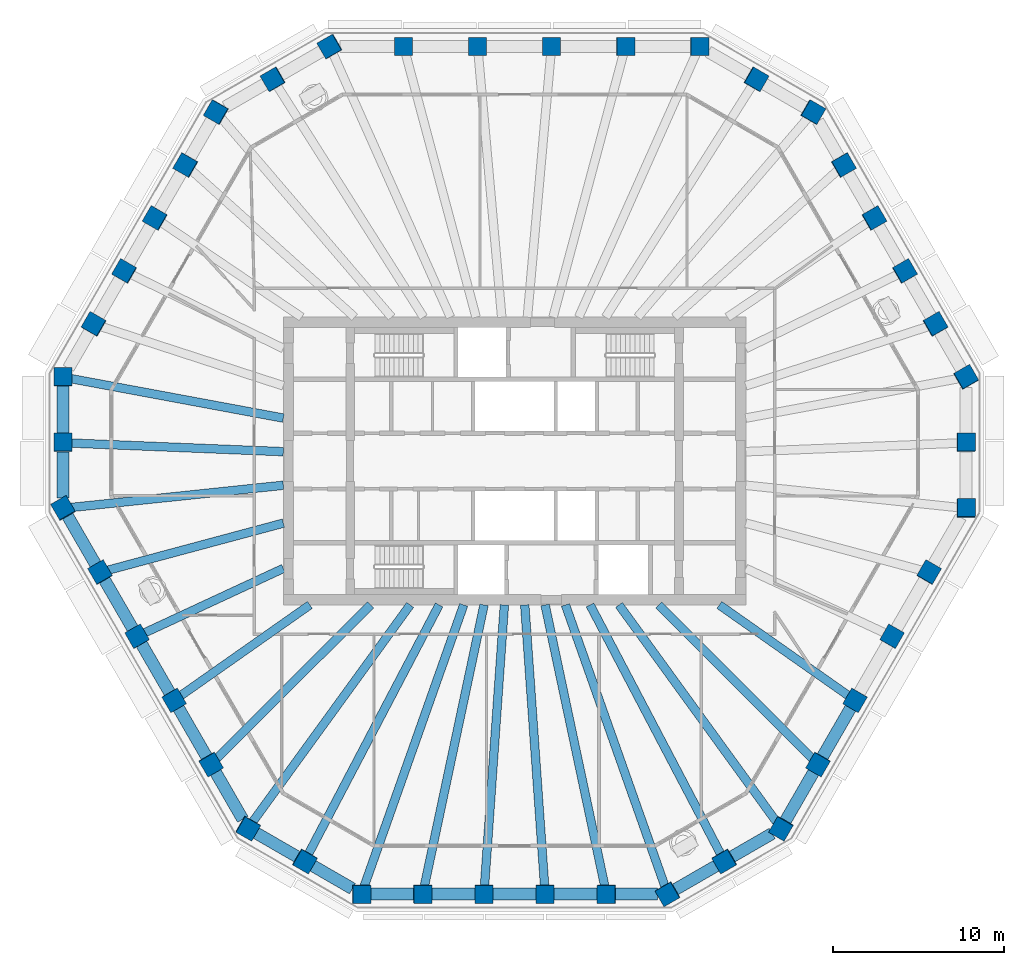
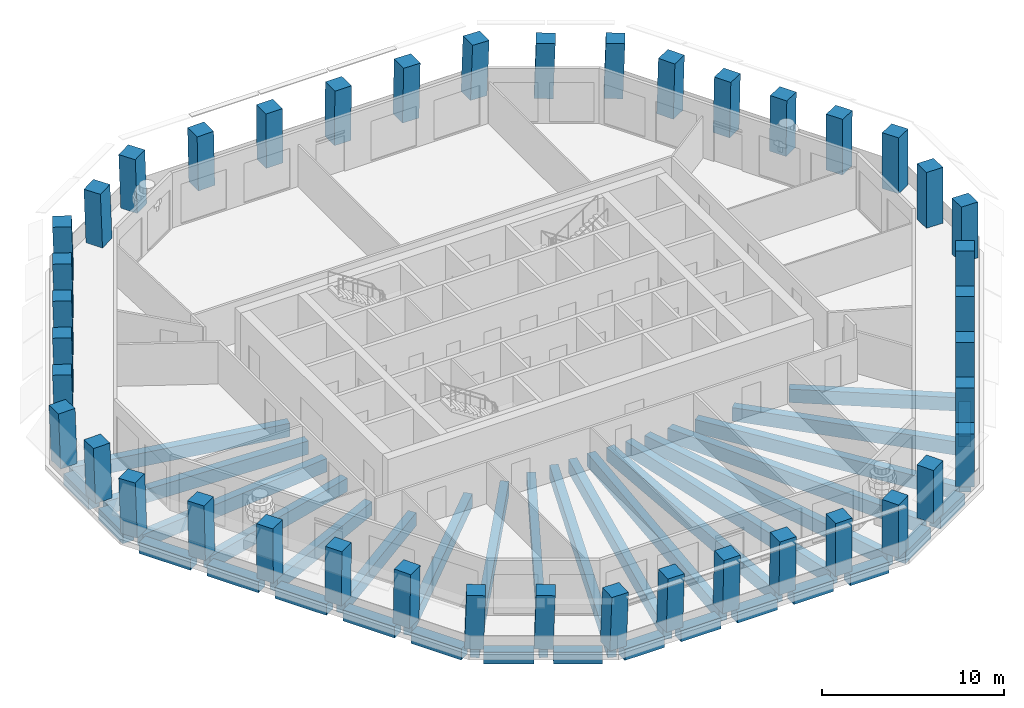
# One storey, part 1 of 12: 42 columns, 37 beams.
"""IFC4 building model written with IfcOpenShell, lengths in metres."""

from ifc_helpers import new_model, si_unit, direction, frame, origin, origin_2d, place, context, subcontext, project, spatial, rectangle, extrude, material, material_profile, profile_set, type_object, element, save


model = new_model("IFC4")

# Units and contexts
model_context = context("Model", 3, precision=1e-05, world=origin(), true_north=direction((0.0, 1.0)))
body_context = subcontext(model_context, "Body", "Model", "MODEL_VIEW")
ifc_project = project(units=[si_unit("LENGTHUNIT", "METRE"), si_unit("AREAUNIT", "SQUARE_METRE"), si_unit("VOLUMEUNIT", "CUBIC_METRE"), si_unit("PLANEANGLEUNIT", "RADIAN"), si_unit("MASSUNIT", "GRAM", prefix="KILO")], contexts=[model_context])

# Site, building, storey
site_placement = place(None, origin())
site = spatial("IfcSite", under=ifc_project, at=site_placement, CompositionType="ELEMENT")
building_placement = place(site_placement, origin())
building = spatial("IfcBuilding", under=site, at=building_placement, Name="Frailejon Research Tower", CompositionType="ELEMENT")
storey_placement = place(building_placement, frame((0.0, 0.0, 245.39990234375)))
storey = spatial("IfcBuildingStorey", under=building, at=storey_placement, Name="L53", CompositionType="ELEMENT", Elevation=245.39990234375)

# Columns
ifc_material_1 = material(Name="Concrete C60/75", Category="concrete")
ifc_material_profile_1 = material_profile(ifc_material_1, rectangle(XDim=1.050048828125, YDim=1.050048828125, at=origin_2d()), Name="Column 1050")
ifc_profile_set_1 = profile_set([ifc_material_profile_1], Name="Concrete C60/75")
column_type = type_object("IfcColumnType", Name="Column 1050", PredefinedType="COLUMN", material=ifc_profile_set_1)
for number, where, z_axis, x_axis, name in (
    (1, (26.351318359375, -2.75830078125, 0.0), (0.018113955825, 0.03141534774, 0.999342263957), (-0.001297337727, 0.999506151202, -0.031396984318), "Column C01"),
    (2, (26.351318359375, 1.068603515625, 0.0), (0.018113993821, 0.031348572332, 0.999344360189), (-0.000374711626, 0.999508494025, -0.031346929091), "Column C02"),
    (3, (26.351318359375, 4.895263671875, 0.0), (0.018113955825, 0.03141534774, 0.999342263957), (-0.501041071009, 0.865233837763, -0.018117702729), "Column C03"),
):
    element("IfcColumn", number, at=place(storey_placement, frame(where, z_axis=z_axis, x_axis=x_axis)), inside=storey, type_object=column_type, Name=name, PredefinedType="COLUMN", context=body_context, shape_type="SweptSolid", body=[
        extrude(rectangle(XDim=1.050048828125, YDim=1.050048828125, at=origin_2d()), origin(), (0.0, 0.0, 1.0), 3.652587890625),
    ])
column_1_placement = place(storey_placement, frame((24.56396484375, 7.99072265625, 0.0), z_axis=(0.021792492936, 0.025134899828, 0.999446508855), x_axis=(-0.499665392548, 0.866150076023, -0.010887667087)))
element("IfcColumn", 4, at=column_1_placement, inside=storey, type_object=column_type, Name="Column C04", PredefinedType="COLUMN", context=body_context, shape_type="SweptSolid", body=[
    extrude(rectangle(XDim=1.050048828125, YDim=1.050048828125, at=origin_2d()), origin(), (0.0, 0.0, 1.0), 3.652099609375),
])
for number, where, z_axis, x_axis, name in (
    (5, (22.77685546875, 11.08642578125, 0.0), (0.025336830513, 0.018852206345, 0.999501195265), (-0.50062764201, 0.865655090814, -0.003637004835), "Column C05"),
    (6, (20.989501953125, 14.18212890625, 0.0), (0.029013668895, 0.012501281298, 0.99950083791), (-0.499066046322, 0.866556270473, 0.003648494517), "Column C06"),
):
    element("IfcColumn", number, at=place(storey_placement, frame(where, z_axis=z_axis, x_axis=x_axis)), inside=storey, type_object=column_type, Name=name, PredefinedType="COLUMN", context=body_context, shape_type="SweptSolid", body=[
        extrude(rectangle(XDim=1.050048828125, YDim=1.050048828125, at=origin_2d()), origin(), (0.0, 0.0, 1.0), 3.65185546875),
    ])
column_2_placement = place(storey_placement, frame((19.202392578125, 17.277587890625, 0.0), z_axis=(0.032621940247, 0.006283734392, 0.999448009502), x_axis=(-0.500036322924, 0.865936123493, 0.010876846363)))
element("IfcColumn", 7, at=column_2_placement, inside=storey, type_object=column_type, Name="Column C07", PredefinedType="COLUMN", context=body_context, shape_type="SweptSolid", body=[
    extrude(rectangle(XDim=1.050048828125, YDim=1.050048828125, at=origin_2d()), origin(), (0.0, 0.0, 1.0), 3.652099609375),
])
for number, where, z_axis, x_axis, name in (
    (8, (17.4150390625, 20.373291015625, 0.0), (0.036294711627, 0.0, 0.999341129899), (-0.865312619905, 0.500246354177, 0.031426978303), "Column C08"),
    (9, (14.10107421875, 22.28662109375, 0.0), (0.036227958345, 0.0, 0.999343552055), (-0.865314717209, 0.500246354177, 0.031369177763), "Column C09"),
    (10, (10.786865234375, 24.199951171875, 0.0), (0.036294711627, 0.0, 0.999341129899), (-0.999341129899, 0.0, 0.036294711627), "Column C10"),
):
    element("IfcColumn", number, at=place(storey_placement, frame(where, z_axis=z_axis, x_axis=x_axis)), inside=storey, type_object=column_type, Name=name, PredefinedType="COLUMN", context=body_context, shape_type="SweptSolid", body=[
        extrude(rectangle(XDim=1.050048828125, YDim=1.050048828125, at=origin_2d()), origin(), (0.0, 0.0, 1.0), 3.652587890625),
    ])
column_3_placement = place(storey_placement, frame((6.47216796875, 24.199951171875, 0.0), z_axis=(0.021799380047, 0.0, 0.99976236528), x_axis=(-0.99976236528, 0.0, 0.021799380047)))
element("IfcColumn", 11, at=column_3_placement, inside=storey, type_object=column_type, Name="Column C11", PredefinedType="COLUMN", context=body_context, shape_type="SweptSolid", body=[
    extrude(rectangle(XDim=1.050048828125, YDim=1.050048828125, at=origin_2d()), origin(), (0.0, 0.0, 1.0), 3.651123046875),
])
for number, where, z_axis, x_axis, name in (
    (12, (2.157470703125, 24.199951171875, 0.0), (0.007223408626, 0.0, 0.999973910844), (-0.999973910844, 0.0, 0.007223408626), "Column C12"),
    (13, (-2.157470703125, 24.199951171875, 0.0), (-0.007223408626, 0.0, 0.999973910844), (-0.999973910844, 0.0, -0.007223408626), "Column C13"),
):
    element("IfcColumn", number, at=place(storey_placement, frame(where, z_axis=z_axis, x_axis=x_axis)), inside=storey, type_object=column_type, Name=name, PredefinedType="COLUMN", context=body_context, shape_type="SweptSolid", body=[
        extrude(rectangle(XDim=1.050048828125, YDim=1.050048828125, at=origin_2d()), origin(), (0.0, 0.0, 1.0), 3.650146484375),
    ])
column_4_placement = place(storey_placement, frame((-6.47216796875, 24.199951171875, 0.0), z_axis=(-0.021799380047, 0.0, 0.99976236528), x_axis=(-0.99976236528, 0.0, -0.021799380047)))
element("IfcColumn", 14, at=column_4_placement, inside=storey, type_object=column_type, Name="Column C14", PredefinedType="COLUMN", context=body_context, shape_type="SweptSolid", body=[
    extrude(rectangle(XDim=1.050048828125, YDim=1.050048828125, at=origin_2d()), origin(), (0.0, 0.0, 1.0), 3.651123046875),
])
for number, where, z_axis, x_axis, name in (
    (15, (-10.786865234375, 24.199951171875, 0.0), (-0.036294711627, 0.0, 0.999341129899), (-0.865312619905, -0.500246354177, -0.031426978303), "Column C15"),
    (16, (-14.10107421875, 22.28662109375, 0.0), (-0.036227958345, 0.0, 0.999343552055), (-0.865314717209, -0.500246354177, -0.031369177763), "Column C16"),
    (17, (-17.4150390625, 20.373291015625, 0.0), (-0.036294711627, 0.0, 0.999341129899), (-0.499424332648, -0.866167613071, -0.018138412991), "Column C17"),
):
    element("IfcColumn", number, at=place(storey_placement, frame(where, z_axis=z_axis, x_axis=x_axis)), inside=storey, type_object=column_type, Name=name, PredefinedType="COLUMN", context=body_context, shape_type="SweptSolid", body=[
        extrude(rectangle(XDim=1.050048828125, YDim=1.050048828125, at=origin_2d()), origin(), (0.0, 0.0, 1.0), 3.652587890625),
    ])
column_5_placement = place(storey_placement, frame((-19.202392578125, 17.277587890625, 0.0), z_axis=(-0.032621940247, 0.006283734392, 0.999448009502), x_axis=(-0.500036322924, -0.865936123493, -0.010876846363)))
element("IfcColumn", 18, at=column_5_placement, inside=storey, type_object=column_type, Name="Column C18", PredefinedType="COLUMN", context=body_context, shape_type="SweptSolid", body=[
    extrude(rectangle(XDim=1.050048828125, YDim=1.050048828125, at=origin_2d()), origin(), (0.0, 0.0, 1.0), 3.652099609375),
])
for number, where, z_axis, x_axis, name in (
    (19, (-20.989501953125, 14.18212890625, 0.0), (-0.029013668895, 0.012501281298, 0.99950083791), (-0.499066046322, -0.866556270473, -0.003648494517), "Column C19"),
    (20, (-22.77685546875, 11.08642578125, 0.0), (-0.025336830513, 0.018852206345, 0.999501195265), (-0.50062764201, -0.865655090814, 0.003637004835), "Column C20"),
):
    element("IfcColumn", number, at=place(storey_placement, frame(where, z_axis=z_axis, x_axis=x_axis)), inside=storey, type_object=column_type, Name=name, PredefinedType="COLUMN", context=body_context, shape_type="SweptSolid", body=[
        extrude(rectangle(XDim=1.050048828125, YDim=1.050048828125, at=origin_2d()), origin(), (0.0, 0.0, 1.0), 3.65185546875),
    ])
column_6_placement = place(storey_placement, frame((-24.56396484375, 7.99072265625, 0.0), z_axis=(-0.021792492936, 0.025134899828, 0.999446508855), x_axis=(-0.499665392548, -0.866150076023, 0.010887667087)))
element("IfcColumn", 21, at=column_6_placement, inside=storey, type_object=column_type, Name="Column C21", PredefinedType="COLUMN", context=body_context, shape_type="SweptSolid", body=[
    extrude(rectangle(XDim=1.050048828125, YDim=1.050048828125, at=origin_2d()), origin(), (0.0, 0.0, 1.0), 3.652099609375),
])
for number, where, z_axis, x_axis, name in (
    (22, (-26.351318359375, 4.895263671875, 0.0), (-0.018113955825, 0.03141534774, 0.999342263957), (-0.001297337727, -0.999506151202, 0.031396984318), "Column C22"),
    (23, (-26.351318359375, 1.068603515625, 0.0), (-0.018113993821, 0.031348572332, 0.999344360189), (-0.000374711626, -0.999508494025, 0.031346929091), "Column C23"),
    (24, (-26.351318359375, -2.75830078125, 0.0), (-0.018113955825, 0.03141534774, 0.999342263957), (0.499040514287, -0.865819568771, 0.036263472456), "Column C24"),
):
    element("IfcColumn", number, at=place(storey_placement, frame(where, z_axis=z_axis, x_axis=x_axis)), inside=storey, type_object=column_type, Name=name, PredefinedType="COLUMN", context=body_context, shape_type="SweptSolid", body=[
        extrude(rectangle(XDim=1.050048828125, YDim=1.050048828125, at=origin_2d()), origin(), (0.0, 0.0, 1.0), 3.652587890625),
    ])
column_7_placement = place(storey_placement, frame((-24.19384765625, -6.494873046875, 0.0), z_axis=(-0.010899694483, 0.018857140148, 0.999762774325), x_axis=(0.500590334681, -0.865410262129, 0.021780611228)))
element("IfcColumn", 25, at=column_7_placement, inside=storey, type_object=column_type, Name="Column C25", PredefinedType="COLUMN", context=body_context, shape_type="SweptSolid", body=[
    extrude(rectangle(XDim=1.050048828125, YDim=1.050048828125, at=origin_2d()), origin(), (0.0, 0.0, 1.0), 3.651123046875),
])
for number, where, z_axis, x_axis, name in (
    (26, (-22.03662109375, -10.231689453125, 0.0), (-0.003611703602, 0.006287039604, 0.99997371402), (0.497890396548, -0.867209652713, 0.007250604559), "Column C26"),
    (27, (-19.879150390625, -13.968505859375, 0.0), (0.003611705113, -0.006220158806, 0.999974132271), (0.50190214813, -0.864894501611, -0.007192689763), "Column C27"),
):
    element("IfcColumn", number, at=place(storey_placement, frame(where, z_axis=z_axis, x_axis=x_axis)), inside=storey, type_object=column_type, Name=name, PredefinedType="COLUMN", context=body_context, shape_type="SweptSolid", body=[
        extrude(rectangle(XDim=1.050048828125, YDim=1.050048828125, at=origin_2d()), origin(), (0.0, 0.0, 1.0), 3.650146484375),
    ])
column_8_placement = place(storey_placement, frame((-17.7216796875, -17.705078125, 0.0), z_axis=(0.010899694483, -0.018857140148, 0.999762774325), x_axis=(0.500590334681, -0.865410262129, -0.021780611228)))
element("IfcColumn", 28, at=column_8_placement, inside=storey, type_object=column_type, Name="Column C28", PredefinedType="COLUMN", context=body_context, shape_type="SweptSolid", body=[
    extrude(rectangle(XDim=1.050048828125, YDim=1.050048828125, at=origin_2d()), origin(), (0.0, 0.0, 1.0), 3.651123046875),
])
for number, where, z_axis, x_axis, name in (
    (29, (-15.564208984375, -21.44189453125, 0.0), (0.018113993821, -0.031348572332, 0.999344360189), (0.866279402233, -0.498575649811, -0.031341963599), "Column C29"),
    (30, (-12.250244140625, -23.35498046875, 0.0), (0.018113955825, -0.03141534774, 0.999342263957), (0.86551973078, -0.499889444942, -0.031402841694), "Column C30"),
    (31, (-8.936279296875, -25.2685546875, 0.0), (0.018113955825, -0.03141534774, 0.999342263957), (0.999835664746, -0.000157319932, -0.01812784466), "Column C31"),
):
    element("IfcColumn", number, at=place(storey_placement, frame(where, z_axis=z_axis, x_axis=x_axis)), inside=storey, type_object=column_type, Name=name, PredefinedType="COLUMN", context=body_context, shape_type="SweptSolid", body=[
        extrude(rectangle(XDim=1.050048828125, YDim=1.050048828125, at=origin_2d()), origin(), (0.0, 0.0, 1.0), 3.652587890625),
    ])
column_9_placement = place(storey_placement, frame((-5.36181640625, -25.2685546875, 0.0), z_axis=(0.010896250923, -0.031418637632, 0.999446917512), x_axis=(0.999940633121, 0.000298237576, -0.010892258146)))
element("IfcColumn", 32, at=column_9_placement, inside=storey, type_object=column_type, Name="Column C32", PredefinedType="COLUMN", context=body_context, shape_type="SweptSolid", body=[
    extrude(rectangle(XDim=1.050048828125, YDim=1.050048828125, at=origin_2d()), origin(), (0.0, 0.0, 1.0), 3.652099609375),
])
for number, where, z_axis, x_axis, name in (
    (33, (-1.787353515625, -25.2685546875, 0.0), (0.003676842511, -0.031420290548, 0.999499497834), (0.999992870831, 0.000974827984, -0.003648012758), "Column C33"),
    (34, (1.787353515625, -25.2685546875, 0.0), (-0.003676842511, -0.031420290548, 0.999499497834), (0.999992870831, -0.000974827984, 0.003648012758), "Column C34"),
):
    element("IfcColumn", number, at=place(storey_placement, frame(where, z_axis=z_axis, x_axis=x_axis)), inside=storey, type_object=column_type, Name=name, PredefinedType="COLUMN", context=body_context, shape_type="SweptSolid", body=[
        extrude(rectangle(XDim=1.050048828125, YDim=1.050048828125, at=origin_2d()), origin(), (0.0, 0.0, 1.0), 3.65185546875),
    ])
column_10_placement = place(storey_placement, frame((5.36181640625, -25.2685546875, 0.0), z_axis=(-0.010896250923, -0.031418637632, 0.999446917512), x_axis=(0.999940633121, -0.000298237576, 0.010892258146)))
element("IfcColumn", 35, at=column_10_placement, inside=storey, type_object=column_type, Name="Column C35", PredefinedType="COLUMN", context=body_context, shape_type="SweptSolid", body=[
    extrude(rectangle(XDim=1.050048828125, YDim=1.050048828125, at=origin_2d()), origin(), (0.0, 0.0, 1.0), 3.652099609375),
])
for number, where, z_axis, x_axis, name in (
    (36, (8.936279296875, -25.2685546875, 0.0), (-0.018113955825, -0.03141534774, 0.999342263957), (0.86551973078, 0.499889444942, 0.031402841694), "Column C36"),
    (37, (12.250244140625, -23.35498046875, 0.0), (-0.018113955825, -0.03141534774, 0.999342263957), (0.86551973078, 0.499889444942, 0.031402841694), "Column C37"),
    (38, (15.564208984375, -21.44189453125, 0.0), (-0.018113993821, -0.031348572332, 0.999344360189), (0.500358082912, 0.865061234454, 0.036205655771), "Column C38"),
):
    element("IfcColumn", number, at=place(storey_placement, frame(where, z_axis=z_axis, x_axis=x_axis)), inside=storey, type_object=column_type, Name=name, PredefinedType="COLUMN", context=body_context, shape_type="SweptSolid", body=[
        extrude(rectangle(XDim=1.050048828125, YDim=1.050048828125, at=origin_2d()), origin(), (0.0, 0.0, 1.0), 3.652587890625),
    ])
column_11_placement = place(storey_placement, frame((17.7216796875, -17.705078125, 0.0), z_axis=(-0.010899694483, -0.018857140148, 0.999762774325), x_axis=(0.500590334681, 0.865410262129, 0.021780611228)))
element("IfcColumn", 39, at=column_11_placement, inside=storey, type_object=column_type, Name="Column C39", PredefinedType="COLUMN", context=body_context, shape_type="SweptSolid", body=[
    extrude(rectangle(XDim=1.050048828125, YDim=1.050048828125, at=origin_2d()), origin(), (0.0, 0.0, 1.0), 3.651123046875),
])
for number, where, z_axis, x_axis, name in (
    (40, (19.879150390625, -13.968505859375, 0.0), (-0.003611705113, -0.006220158806, 0.999974132271), (0.50190214813, 0.864894501611, 0.007192689763), "Column C40"),
    (41, (22.03662109375, -10.231689453125, 0.0), (0.003611703602, 0.006287039604, 0.99997371402), (0.497890396548, 0.867209652713, -0.007250604559), "Column C41"),
):
    element("IfcColumn", number, at=place(storey_placement, frame(where, z_axis=z_axis, x_axis=x_axis)), inside=storey, type_object=column_type, Name=name, PredefinedType="COLUMN", context=body_context, shape_type="SweptSolid", body=[
        extrude(rectangle(XDim=1.050048828125, YDim=1.050048828125, at=origin_2d()), origin(), (0.0, 0.0, 1.0), 3.650146484375),
    ])
column_12_placement = place(storey_placement, frame((24.19384765625, -6.494873046875, 0.0), z_axis=(0.010899694483, 0.018857140148, 0.999762774325), x_axis=(0.500590334681, 0.865410262129, -0.021780611228)))
element("IfcColumn", 42, at=column_12_placement, inside=storey, type_object=column_type, Name="Column C42", PredefinedType="COLUMN", context=body_context, shape_type="SweptSolid", body=[
    extrude(rectangle(XDim=1.050048828125, YDim=1.050048828125, at=origin_2d()), origin(), (0.0, 0.0, 1.0), 3.651123046875),
])

# Beams
ifc_material_2 = material(Name="Concrete C60/75", Category="concrete")
ifc_material_profile_2 = material_profile(ifc_material_2, rectangle(XDim=0.5, YDim=0.89990234375, at=origin_2d()), Name="Girder 500x900")
ifc_profile_set_2 = profile_set([ifc_material_profile_2], Name="Concrete C60/75")
beam_type_1 = type_object("IfcBeamType", Name="Girder 500x900", PredefinedType="BEAM", material=ifc_profile_set_2)
beam_1_placement = place(storey_placement, frame((-25.973876953125, 4.8251953125, -0.75), z_axis=(0.983177334196, -0.182653577911, 0.0), x_axis=(0.182653577911, 0.983177334196, 0.0)))
element("IfcBeam", 43, at=beam_1_placement, inside=storey, type_object=beam_type_1, Name="Girder 500x900", PredefinedType="BEAM", context=body_context, shape_type="SweptSolid", body=[
    extrude(rectangle(XDim=0.5, YDim=0.89990234375, at=origin_2d()), origin(), (0.0, 0.0, 1.0), 12.687255859375),
])
beam_2_placement = place(storey_placement, frame((-25.976318359375, 1.05322265625, -0.75), z_axis=(0.999179040655, -0.040512278579, 0.0), x_axis=(0.040512278579, 0.999179040655, 0.0)))
element("IfcBeam", 44, at=beam_2_placement, inside=storey, type_object=beam_type_1, Name="Girder 500x900", PredefinedType="BEAM", context=body_context, shape_type="SweptSolid", body=[
    extrude(rectangle(XDim=0.5, YDim=0.89990234375, at=origin_2d()), origin(), (0.0, 0.0, 1.0), 12.486572265625),
])
beam_3_placement = place(storey_placement, frame((-25.9287109375, -2.714111328125, -0.75), z_axis=(0.994565769896, 0.104110178907, 0.0), x_axis=(-0.104110178907, 0.994565769896, 0.0)))
element("IfcBeam", 45, at=beam_3_placement, inside=storey, type_object=beam_type_1, Name="Girder 500x900", PredefinedType="BEAM", context=body_context, shape_type="SweptSolid", body=[
    extrude(rectangle(XDim=0.5, YDim=0.89990234375, at=origin_2d()), origin(), (0.0, 0.0, 1.0), 12.49658203125),
])
beam_4_placement = place(storey_placement, frame((-23.81396484375, -6.392822265625, -0.75), z_axis=(0.965804449362, 0.259271605837, 0.0), x_axis=(-0.259271605837, 0.965804449362, 0.0)))
element("IfcBeam", 46, at=beam_4_placement, inside=storey, type_object=beam_type_1, Name="Girder 500x900", PredefinedType="BEAM", context=body_context, shape_type="SweptSolid", body=[
    extrude(rectangle(XDim=0.5, YDim=0.89990234375, at=origin_2d()), origin(), (0.0, 0.0, 1.0), 10.67919921875),
])
beam_5_placement = place(storey_placement, frame((-21.694580078125, -10.07275390625, -0.75), z_axis=(0.90700638742, 0.421116864041, 0.0), x_axis=(-0.421116864041, 0.90700638742, 0.0)))
element("IfcBeam", 47, at=beam_5_placement, inside=storey, type_object=beam_type_1, Name="Girder 500x900", PredefinedType="BEAM", context=body_context, shape_type="SweptSolid", body=[
    extrude(rectangle(XDim=0.5, YDim=0.89990234375, at=origin_2d()), origin(), (0.0, 0.0, 1.0), 9.03466796875),
])
beam_6_placement = place(storey_placement, frame((-19.570556640625, -13.751708984375, -0.75), z_axis=(0.81819803249, 0.57493650052, 0.0), x_axis=(-0.57493650052, 0.81819803249, 0.0)))
element("IfcBeam", 48, at=beam_6_placement, inside=storey, type_object=beam_type_1, Name="Girder 500x900", PredefinedType="BEAM", context=body_context, shape_type="SweptSolid", body=[
    extrude(rectangle(XDim=0.5, YDim=0.89990234375, at=origin_2d()), origin(), (0.0, 0.0, 1.0), 9.30859375),
])
beam_7_placement = place(storey_placement, frame((-17.443359375, -17.427001953125, -0.75), z_axis=(0.707431663644, 0.706781749392, 0.0), x_axis=(-0.706781749392, 0.707431663644, 0.0)))
element("IfcBeam", 49, at=beam_7_placement, inside=storey, type_object=beam_type_1, Name="Girder 500x900", PredefinedType="BEAM", context=body_context, shape_type="SweptSolid", body=[
    extrude(rectangle(XDim=0.5, YDim=0.89990234375, at=origin_2d()), origin(), (0.0, 0.0, 1.0), 12.772216796875),
])
beam_8_placement = place(storey_placement, frame((-15.34228515625, -21.135986328125, -0.75), z_axis=(0.587434455545, 0.809271746967, 0.0), x_axis=(-0.809271746967, 0.587434455545, 0.0)))
element("IfcBeam", 50, at=beam_8_placement, inside=storey, type_object=beam_type_1, Name="Girder 500x900", PredefinedType="BEAM", context=body_context, shape_type="SweptSolid", body=[
    extrude(rectangle(XDim=0.5, YDim=0.89990234375, at=origin_2d()), origin(), (0.0, 0.0, 1.0), 15.73779296875),
])
beam_9_placement = place(storey_placement, frame((-12.075927734375, -23.022705078125, -0.75), z_axis=(0.464499183256, 0.885573547908, 0.0), x_axis=(-0.885573547908, 0.464499183256, 0.0)))
element("IfcBeam", 51, at=beam_9_placement, inside=storey, type_object=beam_type_1, Name="Girder 500x900", PredefinedType="BEAM", context=body_context, shape_type="SweptSolid", body=[
    extrude(rectangle(XDim=0.5, YDim=0.89990234375, at=origin_2d()), origin(), (0.0, 0.0, 1.0), 16.51220703125),
])
beam_10_placement = place(storey_placement, frame((-8.800537109375, -24.885009765625, -0.75), z_axis=(0.333407977189, 0.94278264767, 0.0), x_axis=(-0.94278264767, 0.333407977189, 0.0)))
element("IfcBeam", 52, at=beam_10_placement, inside=storey, type_object=beam_type_1, Name="Girder 500x900", PredefinedType="BEAM", context=body_context, shape_type="SweptSolid", body=[
    extrude(rectangle(XDim=0.5, YDim=0.89990234375, at=origin_2d()), origin(), (0.0, 0.0, 1.0), 17.485595703125),
])
beam_11_placement = place(storey_placement, frame((-5.281494140625, -24.89013671875, -0.75), z_axis=(0.20756636401, 0.978220938506, 0.0), x_axis=(-0.978220938506, 0.20756636401, 0.0)))
element("IfcBeam", 53, at=beam_11_placement, inside=storey, type_object=beam_type_1, Name="Girder 500x900", PredefinedType="BEAM", context=body_context, shape_type="SweptSolid", body=[
    extrude(rectangle(XDim=0.5, YDim=0.89990234375, at=origin_2d()), origin(), (0.0, 0.0, 1.0), 16.857421875),
])
for number, where, z_axis, x_axis, name in (
    (54, (-1.7607421875, -24.89306640625, -0.75), (0.07055027383, 0.99750822496, 0.0), (-0.99750822496, 0.07055027383, 0.0), "Girder 500x900"),
    (55, (1.7607421875, -24.89306640625, -0.75), (-0.07055027383, 0.99750822496, 0.0), (-0.99750822496, -0.07055027383, 0.0), "Girder 500x900"),
):
    element("IfcBeam", number, at=place(storey_placement, frame(where, z_axis=z_axis, x_axis=x_axis)), inside=storey, type_object=beam_type_1, Name=name, PredefinedType="BEAM", context=body_context, shape_type="SweptSolid", body=[
        extrude(rectangle(XDim=0.5, YDim=0.89990234375, at=origin_2d()), origin(), (0.0, 0.0, 1.0), 16.534423828125),
    ])
beam_12_placement = place(storey_placement, frame((5.281494140625, -24.89013671875, -0.75), z_axis=(-0.20756636401, 0.978220938506, 0.0), x_axis=(-0.978220938506, -0.20756636401, 0.0)))
element("IfcBeam", 56, at=beam_12_placement, inside=storey, type_object=beam_type_1, Name="Girder 500x900", PredefinedType="BEAM", context=body_context, shape_type="SweptSolid", body=[
    extrude(rectangle(XDim=0.5, YDim=0.89990234375, at=origin_2d()), origin(), (0.0, 0.0, 1.0), 16.857421875),
])
beam_13_placement = place(storey_placement, frame((8.808349609375, -24.906494140625, -0.75), z_axis=(-0.333418877338, 0.942778792843, 0.0), x_axis=(-0.942778792843, -0.333418877338, 0.0)))
element("IfcBeam", 57, at=beam_13_placement, inside=storey, type_object=beam_type_1, Name="Girder 500x900", PredefinedType="BEAM", context=body_context, shape_type="SweptSolid", body=[
    extrude(rectangle(XDim=0.5, YDim=0.89990234375, at=origin_2d()), origin(), (0.0, 0.0, 1.0), 17.508544921875),
])
beam_14_placement = place(storey_placement, frame((12.075927734375, -23.022705078125, -0.75), z_axis=(-0.464499183256, 0.885573547908, 0.0), x_axis=(-0.885573547908, -0.464499183256, 0.0)))
element("IfcBeam", 58, at=beam_14_placement, inside=storey, type_object=beam_type_1, Name="Girder 500x900", PredefinedType="BEAM", context=body_context, shape_type="SweptSolid", body=[
    extrude(rectangle(XDim=0.5, YDim=0.89990234375, at=origin_2d()), origin(), (0.0, 0.0, 1.0), 16.51220703125),
])
beam_15_placement = place(storey_placement, frame((15.314697265625, -21.097900390625, -0.75), z_axis=(-0.587436874046, 0.809269991419, 0.0), x_axis=(-0.809269991419, -0.587436874046, 0.0)))
element("IfcBeam", 59, at=beam_15_placement, inside=storey, type_object=beam_type_1, Name="Girder 500x900", PredefinedType="BEAM", context=body_context, shape_type="SweptSolid", body=[
    extrude(rectangle(XDim=0.5, YDim=0.89990234375, at=origin_2d()), origin(), (0.0, 0.0, 1.0), 15.690673828125),
])
beam_16_placement = place(storey_placement, frame((17.443359375, -17.427001953125, -0.75), z_axis=(-0.707431663644, 0.706781749392, 0.0), x_axis=(-0.706781749392, -0.707431663644, 0.0)))
element("IfcBeam", 60, at=beam_16_placement, inside=storey, type_object=beam_type_1, Name="Girder 500x900", PredefinedType="BEAM", context=body_context, shape_type="SweptSolid", body=[
    extrude(rectangle(XDim=0.5, YDim=0.89990234375, at=origin_2d()), origin(), (0.0, 0.0, 1.0), 12.772216796875),
])
beam_17_placement = place(storey_placement, frame((19.570556640625, -13.751708984375, -0.75), z_axis=(-0.81819803249, 0.57493650052, 0.0), x_axis=(-0.57493650052, -0.81819803249, 0.0)))
element("IfcBeam", 61, at=beam_17_placement, inside=storey, type_object=beam_type_1, Name="Girder 500x900", PredefinedType="BEAM", context=body_context, shape_type="SweptSolid", body=[
    extrude(rectangle(XDim=0.5, YDim=0.89990234375, at=origin_2d()), origin(), (0.0, 0.0, 1.0), 9.30859375),
])
ifc_material_3 = material(Name="Concrete C60/75", Category="concrete")
ifc_material_profile_3 = material_profile(ifc_material_3, rectangle(XDim=0.699951171875, YDim=0.75, at=origin_2d()), Name="Spandrel 700x750")
ifc_profile_set_3 = profile_set([ifc_material_profile_3], Name="Concrete C60/75")
beam_type_2 = type_object("IfcBeamType", Name="Spandrel 700x750", PredefinedType="BEAM", material=ifc_profile_set_3)
beam_18_placement = place(storey_placement, frame((-26.351318359375, 4.3701171875, -0.724853515625), z_axis=(0.0, -1.0, 0.0), x_axis=(1.0, 0.0, 0.0)))
element("IfcBeam", 62, at=beam_18_placement, inside=storey, type_object=beam_type_2, Name="Spandrel 700x750", PredefinedType="BEAM", context=body_context, shape_type="SweptSolid", body=[
    extrude(rectangle(XDim=0.699951171875, YDim=0.75, at=origin_2d()), origin(), (0.0, 0.0, 1.0), 2.776611328125),
])
beam_19_placement = place(storey_placement, frame((-26.351318359375, 0.54345703125, -0.724853515625), z_axis=(0.0, -1.0, 0.0), x_axis=(1.0, 0.0, 0.0)))
element("IfcBeam", 63, at=beam_19_placement, inside=storey, type_object=beam_type_2, Name="Spandrel 700x750", PredefinedType="BEAM", context=body_context, shape_type="SweptSolid", body=[
    extrude(rectangle(XDim=0.699951171875, YDim=0.75, at=origin_2d()), origin(), (0.0, 0.0, 1.0), 2.695556640625),
])
beam_20_placement = place(storey_placement, frame((-26.0888671875, -3.212890625, -0.724853515625), z_axis=(0.500039624225, -0.866002525519, 0.0), x_axis=(0.866002525519, 0.500039624225, 0.0)))
element("IfcBeam", 64, at=beam_20_placement, inside=storey, type_object=beam_type_2, Name="Spandrel 700x750", PredefinedType="BEAM", context=body_context, shape_type="SweptSolid", body=[
    extrude(rectangle(XDim=0.699951171875, YDim=0.75, at=origin_2d()), origin(), (0.0, 0.0, 1.0), 3.264892578125),
])
for number, where, z_axis, x_axis, name in (
    (65, (-23.931396484375, -6.94970703125, -0.724853515625), (0.500015922655, -0.86601621064, 0.0), (0.86601621064, 0.500015922655, 0.0), "Spandrel 700x750"),
    (66, (-21.77392578125, -10.686279296875, -0.724853515625), (0.499983540639, -0.866034906392, 0.0), (0.866034906392, 0.499983540639, 0.0), "Spandrel 700x750"),
):
    element("IfcBeam", number, at=place(storey_placement, frame(where, z_axis=z_axis, x_axis=x_axis)), inside=storey, type_object=beam_type_2, Name=name, PredefinedType="BEAM", context=body_context, shape_type="SweptSolid", body=[
        extrude(rectangle(XDim=0.699951171875, YDim=0.75, at=origin_2d()), origin(), (0.0, 0.0, 1.0), 3.2646484375),
    ])
beam_21_placement = place(storey_placement, frame((-19.61669921875, -14.423095703125, -0.724853515625), z_axis=(0.500039624225, -0.866002525519, 0.0), x_axis=(0.866002525519, 0.500039624225, 0.0)))
element("IfcBeam", 67, at=beam_21_placement, inside=storey, type_object=beam_type_2, Name="Spandrel 700x750", PredefinedType="BEAM", context=body_context, shape_type="SweptSolid", body=[
    extrude(rectangle(XDim=0.699951171875, YDim=0.75, at=origin_2d()), origin(), (0.0, 0.0, 1.0), 3.264892578125),
])
beam_22_placement = place(storey_placement, frame((-17.459228515625, -18.159912109375, -0.724853515625), z_axis=(0.500032254052, -0.866006781098, 0.0), x_axis=(0.866006781098, 0.500032254052, 0.0)))
element("IfcBeam", 68, at=beam_22_placement, inside=storey, type_object=beam_type_2, Name="Spandrel 700x750", PredefinedType="BEAM", context=body_context, shape_type="SweptSolid", body=[
    extrude(rectangle(XDim=0.699951171875, YDim=0.75, at=origin_2d()), origin(), (0.0, 0.0, 1.0), 3.183349609375),
])
beam_23_placement = place(storey_placement, frame((-15.109619140625, -21.704345703125, -0.724853515625), z_axis=(0.866037694333, -0.499978711542, 0.0), x_axis=(0.499978711542, 0.866037694333, 0.0)))
element("IfcBeam", 69, at=beam_23_placement, inside=storey, type_object=beam_type_2, Name="Spandrel 700x750", PredefinedType="BEAM", context=body_context, shape_type="SweptSolid", body=[
    extrude(rectangle(XDim=0.699951171875, YDim=0.75, at=origin_2d()), origin(), (0.0, 0.0, 1.0), 2.7763671875),
])
beam_24_placement = place(storey_placement, frame((-11.795654296875, -23.61767578125, -0.724853515625), z_axis=(0.866049846835, -0.499957661005, 0.0), x_axis=(0.499957661005, 0.866049846835, 0.0)))
element("IfcBeam", 70, at=beam_24_placement, inside=storey, type_object=beam_type_2, Name="Spandrel 700x750", PredefinedType="BEAM", context=body_context, shape_type="SweptSolid", body=[
    extrude(rectangle(XDim=0.699951171875, YDim=0.75, at=origin_2d()), origin(), (0.0, 0.0, 1.0), 2.695556640625),
])
for number, where, z_axis, x_axis, name in (
    (71, (-8.411376953125, -25.2685546875, -0.724853515625), (1.0, 0.0, 0.0), (0.0, 1.0, 0.0), "Spandrel 700x750"),
    (72, (-4.8369140625, -25.2685546875, -0.724853515625), (1.0, 0.0, 0.0), (0.0, 1.0, 0.0), "Spandrel 700x750"),
):
    element("IfcBeam", number, at=place(storey_placement, frame(where, z_axis=z_axis, x_axis=x_axis)), inside=storey, type_object=beam_type_2, Name=name, PredefinedType="BEAM", context=body_context, shape_type="SweptSolid", body=[
        extrude(rectangle(XDim=0.699951171875, YDim=0.75, at=origin_2d()), origin(), (0.0, 0.0, 1.0), 2.524658203125),
    ])
beam_25_placement = place(storey_placement, frame((-1.26220703125, -25.2685546875, -0.724853515625), z_axis=(1.0, 0.0, 0.0), x_axis=(0.0, 1.0, 0.0)))
element("IfcBeam", 73, at=beam_25_placement, inside=storey, type_object=beam_type_2, Name="Spandrel 700x750", PredefinedType="BEAM", context=body_context, shape_type="SweptSolid", body=[
    extrude(rectangle(XDim=0.699951171875, YDim=0.75, at=origin_2d()), origin(), (0.0, 0.0, 1.0), 2.5244140625),
])
beam_26_placement = place(storey_placement, frame((2.312255859375, -25.2685546875, -0.724853515625), z_axis=(1.0, 0.0, 0.0), x_axis=(0.0, 1.0, 0.0)))
element("IfcBeam", 74, at=beam_26_placement, inside=storey, type_object=beam_type_2, Name="Spandrel 700x750", PredefinedType="BEAM", context=body_context, shape_type="SweptSolid", body=[
    extrude(rectangle(XDim=0.699951171875, YDim=0.75, at=origin_2d()), origin(), (0.0, 0.0, 1.0), 2.524658203125),
])
beam_27_placement = place(storey_placement, frame((5.88671875, -25.2685546875, -0.724853515625), z_axis=(1.0, 0.0, 0.0), x_axis=(0.0, 1.0, 0.0)))
element("IfcBeam", 75, at=beam_27_placement, inside=storey, type_object=beam_type_2, Name="Spandrel 700x750", PredefinedType="BEAM", context=body_context, shape_type="SweptSolid", body=[
    extrude(rectangle(XDim=0.699951171875, YDim=0.75, at=origin_2d()), origin(), (0.0, 0.0, 1.0), 2.443359375),
])
beam_28_placement = place(storey_placement, frame((9.39111328125, -25.006103515625, -0.724853515625), z_axis=(0.865999619105, 0.500044657716, 0.0), x_axis=(-0.500044657716, 0.865999619105, 0.0)))
element("IfcBeam", 76, at=beam_28_placement, inside=storey, type_object=beam_type_2, Name="Spandrel 700x750", PredefinedType="BEAM", context=body_context, shape_type="SweptSolid", body=[
    extrude(rectangle(XDim=0.699951171875, YDim=0.75, at=origin_2d()), origin(), (0.0, 0.0, 1.0), 2.776611328125),
])
beam_29_placement = place(storey_placement, frame((12.705078125, -23.092529296875, -0.724853515625), z_axis=(0.866027204995, 0.499996880198, 0.0), x_axis=(-0.499996880198, 0.866027204995, 0.0)))
element("IfcBeam", 77, at=beam_29_placement, inside=storey, type_object=beam_type_2, Name="Spandrel 700x750", PredefinedType="BEAM", context=body_context, shape_type="SweptSolid", body=[
    extrude(rectangle(XDim=0.699951171875, YDim=0.75, at=origin_2d()), origin(), (0.0, 0.0, 1.0), 2.6953125),
])
beam_30_placement = place(storey_placement, frame((15.826904296875, -20.987060546875, -0.724853515625), z_axis=(0.500015922655, 0.86601621064, 0.0), x_axis=(-0.86601621064, 0.500015922655, 0.0)))
element("IfcBeam", 78, at=beam_30_placement, inside=storey, type_object=beam_type_2, Name="Spandrel 700x750", PredefinedType="BEAM", context=body_context, shape_type="SweptSolid", body=[
    extrude(rectangle(XDim=0.699951171875, YDim=0.75, at=origin_2d()), origin(), (0.0, 0.0, 1.0), 3.2646484375),
])
beam_31_placement = place(storey_placement, frame((17.984130859375, -17.25048828125, -0.724853515625), z_axis=(0.500039624225, 0.866002525519, 0.0), x_axis=(-0.866002525519, 0.500039624225, 0.0)))
element("IfcBeam", 79, at=beam_31_placement, inside=storey, type_object=beam_type_2, Name="Spandrel 700x750", PredefinedType="BEAM", context=body_context, shape_type="SweptSolid", body=[
    extrude(rectangle(XDim=0.699951171875, YDim=0.75, at=origin_2d()), origin(), (0.0, 0.0, 1.0), 3.264892578125),
])

save(model, "model.ifc")
